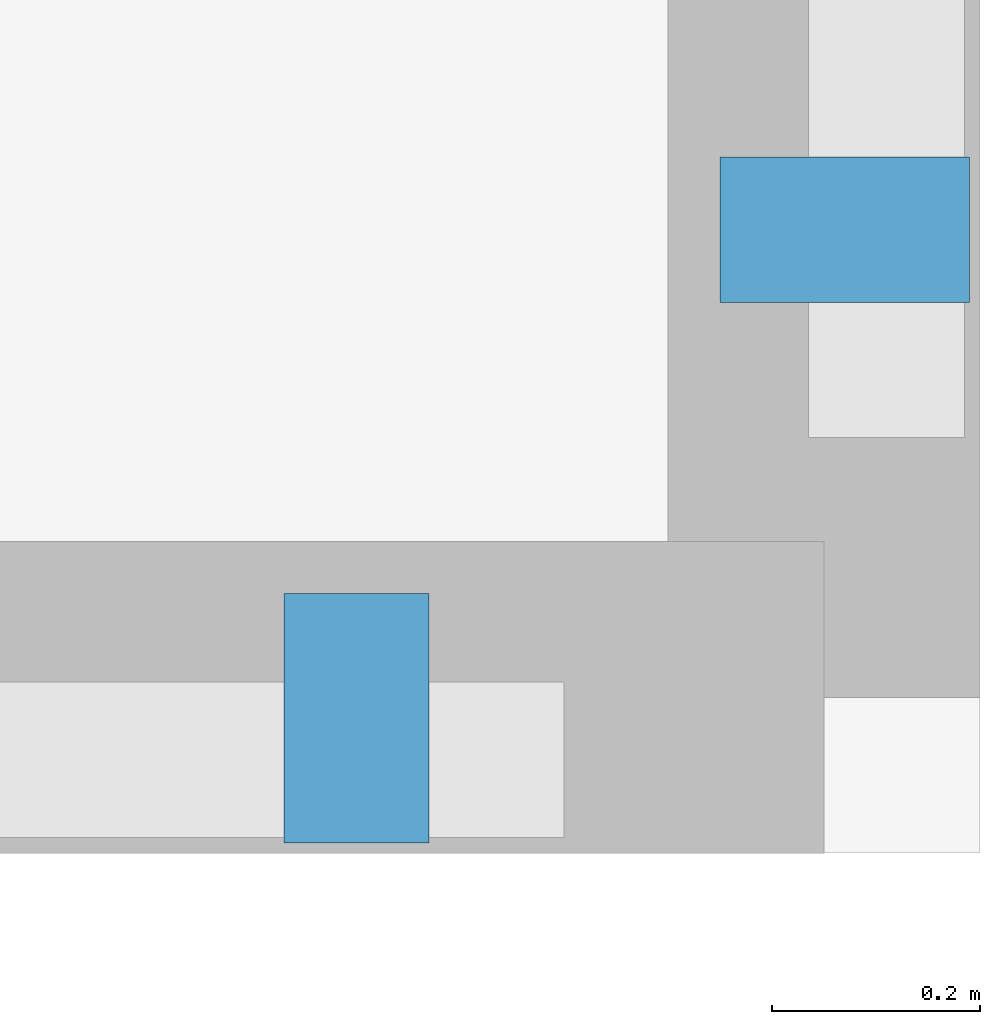
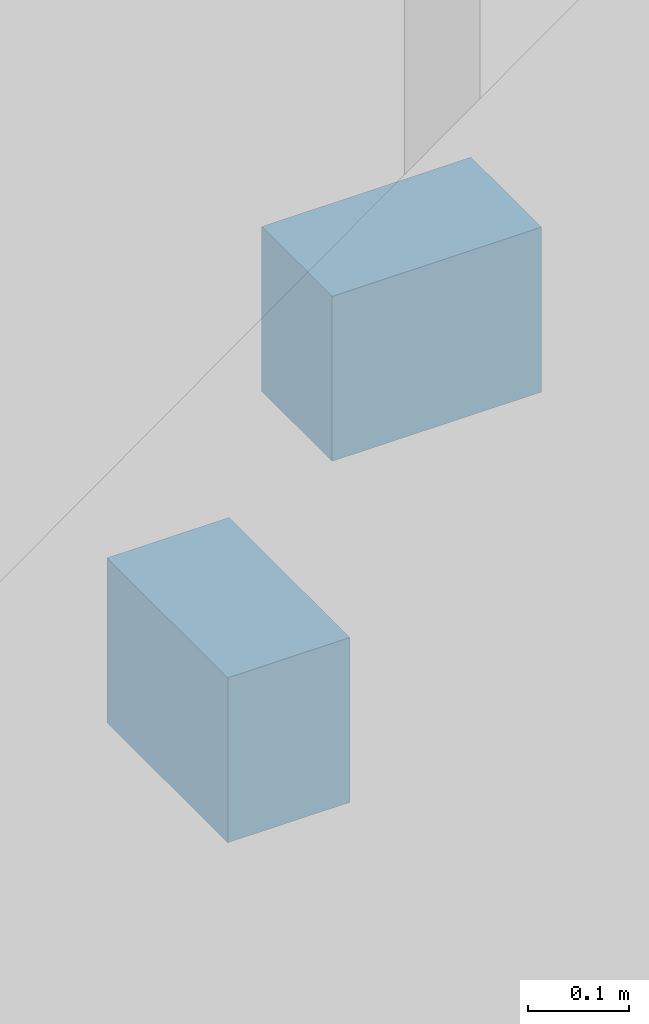
# One storey, part 16 of 20: 2 discrete accessories.
"""IFC4 building model written with IfcOpenShell, lengths in metres."""

from ifc_helpers import new_model, si_unit, direction, frame, origin, origin_2d, place, context, subcontext, project, spatial, rectangle, extrude, material, type_object, element, save


model = new_model("IFC4")

# Units and contexts
model_context = context("Model", 3, precision=1e-05, world=origin(), true_north=direction((0.0, 1.0)))
body_context = subcontext(model_context, "Body", "Model", "MODEL_VIEW")
ifc_project = project(units=[si_unit("LENGTHUNIT", "METRE"), si_unit("AREAUNIT", "SQUARE_METRE"), si_unit("VOLUMEUNIT", "CUBIC_METRE"), si_unit("PLANEANGLEUNIT", "RADIAN"), si_unit("MASSUNIT", "GRAM", prefix="KILO")], contexts=[model_context])

# Site, building, storey
site_placement = place(None, origin())
site = spatial("IfcSite", under=ifc_project, at=site_placement, CompositionType="ELEMENT")
building_placement = place(site_placement, origin())
building = spatial("IfcBuilding", under=site, at=building_placement, Name="Tarnavaz Court Tower", CompositionType="ELEMENT")
storey_placement = place(building_placement, frame((0.0, 0.0, 60.85009765625)))
storey = spatial("IfcBuildingStorey", under=building, at=storey_placement, Name="L16", CompositionType="ELEMENT", Elevation=60.85009765625)

# Discrete accessories
ifc_material = material(Name="Anodised Aluminium 6063-T6", Category="aluminium")
discrete_accessory_type = type_object("IfcDiscreteAccessoryType", Name="DA-BRKT-ALU", PredefinedType="BRACKET", material=ifc_material)
for number, where, z_axis, x_axis, name in (
    (1, (28.669921875, -18.60009765625, 1.75), (0.0, 0.0, 1.0), (0.0, -1.0, 0.0), "L16 Baguette Outrigger Bracket FBG12-2"),
    (2, (28.199951171875, -19.070068359375, 1.75), (0.0, 0.0, 1.0), (-1.0, 0.0, 0.0), "L16 Baguette Outrigger Bracket FBG13-1"),
):
    element("IfcDiscreteAccessory", number, at=place(storey_placement, frame(where, z_axis=z_axis, x_axis=x_axis)), inside=storey, type_object=discrete_accessory_type, Name=name, PredefinedType="BRACKET", context=body_context, shape_type="SweptSolid", body=[
        extrude(rectangle(XDim=0.139892578125, YDim=0.239990234375, at=origin_2d()), origin(), (0.0, 0.0, 1.0), 0.199951171875),
    ])

save(model, "model.ifc")
